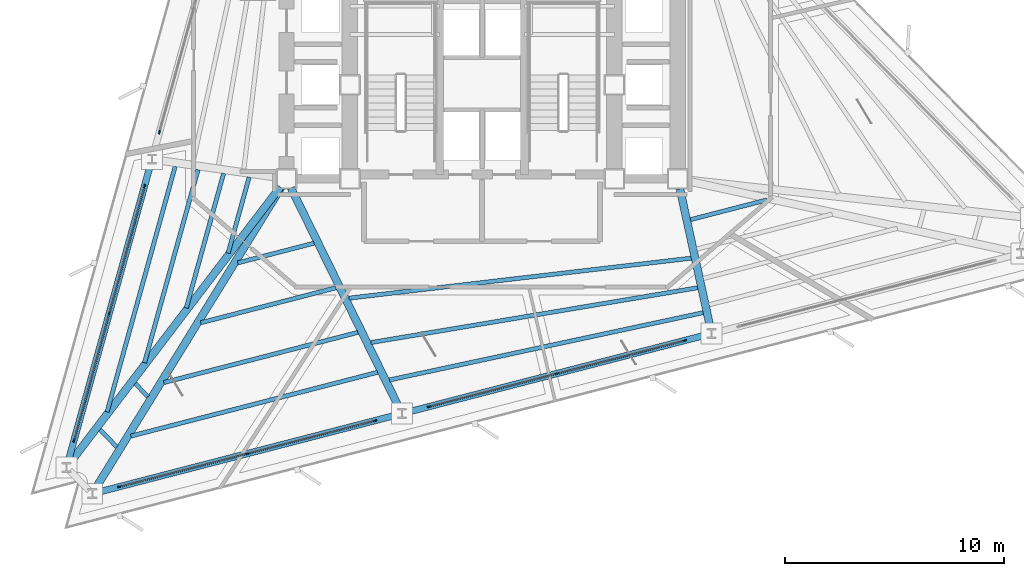
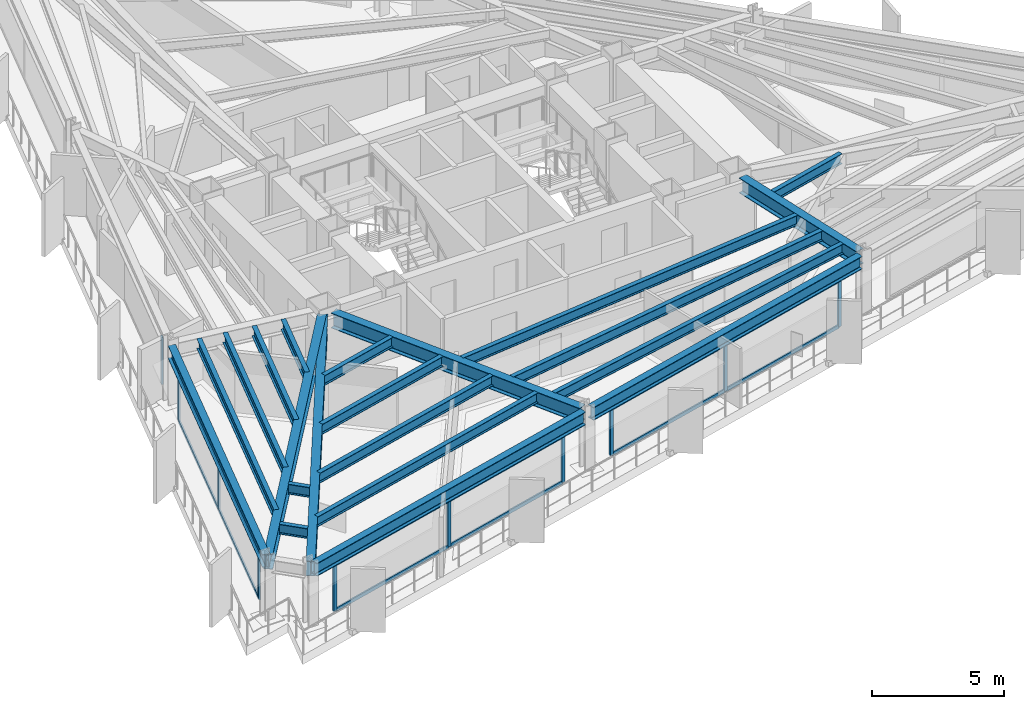
# One storey, part 2 of 11: 22 members, 21 beams, 4 elements without a shape of their own.
"""IFC4 building model written with IfcOpenShell, lengths in metres."""

from ifc_helpers import new_model, si_unit, direction, frame, origin, origin_2d, place, context, subcontext, project, spatial, rectangle, i_section, extrude, material, layer, layer_set, material_profile, profile_set, type_object, element, aggregate, save


model = new_model("IFC4")

# Units and contexts
model_context = context("Model", 3, precision=1e-05, world=origin(), true_north=direction((0.0, 1.0)))
body_context = subcontext(model_context, "Body", "Model", "MODEL_VIEW")
ifc_project = project(units=[si_unit("LENGTHUNIT", "METRE"), si_unit("AREAUNIT", "SQUARE_METRE"), si_unit("VOLUMEUNIT", "CUBIC_METRE"), si_unit("PLANEANGLEUNIT", "RADIAN"), si_unit("MASSUNIT", "GRAM", prefix="KILO")], contexts=[model_context])

# Site, building, storey
site_placement = place(None, origin())
site = spatial("IfcSite", under=ifc_project, at=site_placement, CompositionType="ELEMENT")
building_placement = place(site_placement, origin())
building = spatial("IfcBuilding", under=site, at=building_placement, Name="Rocaltana Carrier Exchange", CompositionType="ELEMENT")
storey_placement = place(building_placement, frame((0.0, 0.0, 76.47998046875)))
storey = spatial("IfcBuildingStorey", under=building, at=storey_placement, Name="L23", CompositionType="ELEMENT", Elevation=76.47998046875)

# Curtain wall, member
ifc_material_1 = material(Name="Aluminium 6063-T6", Category="aluminium")
ifc_layer = layer(ifc_material_1, 0.1650390625)
ifc_layer_set = layer_set([ifc_layer], Name="Aluminium 6063-T6")
curtain_wall_type = type_object("IfcCurtainWallType", Name="Lower-Mid Stepped Curtain Wall CW-02", PredefinedType="NOTDEFINED", material=ifc_layer_set)
curtain_wall_1_placement = place(storey_placement, origin())
curtain_wall_1 = element("IfcCurtainWall", 1, at=curtain_wall_1_placement, inside=storey, type_object=curtain_wall_type, Name="L23 CW-02 Run CW-L23-F2S2", PredefinedType="NOTDEFINED")
ifc_material_2 = material(Name="Aluminium 6063-T6", Category="aluminium")
ifc_material_profile_1 = material_profile(ifc_material_2, rectangle(XDim=0.06494140625, YDim=0.1650390625, at=origin_2d()), Name="AL-65X165")
ifc_profile_set_1 = profile_set([ifc_material_profile_1], Name="Aluminium 6063-T6")
member_type_1 = type_object("IfcMemberType", Name="CW-02 Mullion AL-65X165", PredefinedType="MULLION", material=ifc_profile_set_1)
member_1_placement = place(storey_placement, frame((-14.761962890625, -2.16796875, 0.0), z_axis=(0.0, 0.0, 1.0), x_axis=(0.963630586954, -0.267237893807, 0.0)))
member_1 = element("IfcMember", 2, at=member_1_placement, type_object=member_type_1, Name="CW-02 mullion 3", PredefinedType="MULLION", context=body_context, shape_type="SweptSolid", body=[
    extrude(rectangle(XDim=0.06494140625, YDim=0.1650390625, at=origin_2d()), origin(), (0.0, 0.0, 1.0), 2.16796875),
])
aggregate(curtain_wall_1, [member_1])

# Curtain wall, members
curtain_wall_2_placement = place(storey_placement, origin())
curtain_wall_2 = element("IfcCurtainWall", 3, at=curtain_wall_2_placement, inside=storey, type_object=curtain_wall_type, Name="L23 CW-02 Run CW-L23-F2S3", PredefinedType="NOTDEFINED")
member_2_placement = place(storey_placement, frame((-15.447265625, -4.6396484375, 0.0), z_axis=(0.0, 0.0, 1.0), x_axis=(0.963629053146, -0.267243424491, 0.0)))
member_2 = element("IfcMember", 4, at=member_2_placement, type_object=member_type_1, Name="CW-02 mullion 1", PredefinedType="MULLION", context=body_context, shape_type="SweptSolid", body=[
    extrude(rectangle(XDim=0.06494140625, YDim=0.1650390625, at=origin_2d()), origin(), (0.0, 0.0, 1.0), 2.16796875),
])
member_3_placement = place(storey_placement, frame((-17.059814453125, -10.45458984375, 0.0), z_axis=(0.0, 0.0, 1.0), x_axis=(0.963629053146, -0.267243424491, 0.0)))
member_3 = element("IfcMember", 5, at=member_3_placement, type_object=member_type_1, Name="CW-02 mullion 2", PredefinedType="MULLION", context=body_context, shape_type="SweptSolid", body=[
    extrude(rectangle(XDim=0.06494140625, YDim=0.1650390625, at=origin_2d()), origin(), (0.0, 0.0, 1.0), 2.16796875),
])
member_4_placement = place(storey_placement, frame((-18.672607421875, -16.269287109375, 0.0), z_axis=(0.0, 0.0, 1.0), x_axis=(0.963629053146, -0.267243424491, 0.0)))
member_4 = element("IfcMember", 6, at=member_4_placement, type_object=member_type_1, Name="CW-02 mullion 3", PredefinedType="MULLION", context=body_context, shape_type="SweptSolid", body=[
    extrude(rectangle(XDim=0.06494140625, YDim=0.1650390625, at=origin_2d()), origin(), (0.0, 0.0, 1.0), 2.16796875),
])

curtain_wall_3_placement = place(storey_placement, origin())
curtain_wall_3 = element("IfcCurtainWall", 7, at=curtain_wall_3_placement, inside=storey, type_object=curtain_wall_type, Name="L23 CW-02 Run CW-L23-F3S1", PredefinedType="NOTDEFINED")
member_5_placement = place(storey_placement, frame((-16.592529296875, -18.3857421875, 0.0), z_axis=(0.0, 0.0, 1.0), x_axis=(-0.250377760692, 0.968148220548, 0.0)))
member_5 = element("IfcMember", 8, at=member_5_placement, type_object=member_type_1, Name="CW-02 mullion 1", PredefinedType="MULLION", context=body_context, shape_type="SweptSolid", body=[
    extrude(rectangle(XDim=0.06494140625, YDim=0.1650390625, at=origin_2d()), origin(), (0.0, 0.0, 1.0), 2.16796875),
])
member_6_placement = place(storey_placement, frame((-10.75048828125, -16.874755859375, 0.0), z_axis=(0.0, 0.0, 1.0), x_axis=(-0.250377760692, 0.968148220548, 0.0)))
member_6 = element("IfcMember", 9, at=member_6_placement, type_object=member_type_1, Name="CW-02 mullion 2", PredefinedType="MULLION", context=body_context, shape_type="SweptSolid", body=[
    extrude(rectangle(XDim=0.06494140625, YDim=0.1650390625, at=origin_2d()), origin(), (0.0, 0.0, 1.0), 2.16796875),
])
member_7_placement = place(storey_placement, frame((-4.90869140625, -15.364013671875, 0.0), z_axis=(0.0, 0.0, 1.0), x_axis=(-0.250377760692, 0.968148220548, 0.0)))
member_7 = element("IfcMember", 10, at=member_7_placement, type_object=member_type_1, Name="CW-02 mullion 3", PredefinedType="MULLION", context=body_context, shape_type="SweptSolid", body=[
    extrude(rectangle(XDim=0.06494140625, YDim=0.1650390625, at=origin_2d()), origin(), (0.0, 0.0, 1.0), 2.16796875),
])

curtain_wall_4_placement = place(storey_placement, origin())
curtain_wall_4 = element("IfcCurtainWall", 11, at=curtain_wall_4_placement, inside=storey, type_object=curtain_wall_type, Name="L23 CW-02 Run CW-L23-F3S2", PredefinedType="NOTDEFINED")
member_8_placement = place(storey_placement, frame((-2.42529296875, -14.7216796875, 0.0), z_axis=(0.0, 0.0, 1.0), x_axis=(-0.250377760692, 0.968148220548, 0.0)))
member_8 = element("IfcMember", 12, at=member_8_placement, type_object=member_type_1, Name="CW-02 mullion 1", PredefinedType="MULLION", context=body_context, shape_type="SweptSolid", body=[
    extrude(rectangle(XDim=0.06494140625, YDim=0.1650390625, at=origin_2d()), origin(), (0.0, 0.0, 1.0), 2.16796875),
])
member_9_placement = place(storey_placement, frame((3.41650390625, -13.2109375, 0.0), z_axis=(0.0, 0.0, 1.0), x_axis=(-0.250377760692, 0.968148220548, 0.0)))
member_9 = element("IfcMember", 13, at=member_9_placement, type_object=member_type_1, Name="CW-02 mullion 2", PredefinedType="MULLION", context=body_context, shape_type="SweptSolid", body=[
    extrude(rectangle(XDim=0.06494140625, YDim=0.1650390625, at=origin_2d()), origin(), (0.0, 0.0, 1.0), 2.16796875),
])
member_10_placement = place(storey_placement, frame((9.258544921875, -11.7001953125, 0.0), z_axis=(0.0, 0.0, 1.0), x_axis=(-0.250377760692, 0.968148220548, 0.0)))
member_10 = element("IfcMember", 14, at=member_10_placement, type_object=member_type_1, Name="CW-02 mullion 3", PredefinedType="MULLION", context=body_context, shape_type="SweptSolid", body=[
    extrude(rectangle(XDim=0.06494140625, YDim=0.1650390625, at=origin_2d()), origin(), (0.0, 0.0, 1.0), 2.16796875),
])

# Member
ifc_material_3 = material(Name="Aluminium 6063-T6", Category="aluminium")
ifc_material_profile_2 = material_profile(ifc_material_3, rectangle(XDim=0.06494140625, YDim=0.1650390625, at=origin_2d()), Name="AL-65X165")
ifc_profile_set_2 = profile_set([ifc_material_profile_2], Name="Aluminium 6063-T6")
member_type_2 = type_object("IfcMemberType", Name="CW-02 Transom AL-65X165", PredefinedType="USERDEFINED", material=ifc_profile_set_2)
member_11_placement = place(storey_placement, frame((-15.4560546875, -4.671142578125, 0.032470703125), z_axis=(-0.26724725359, -0.963627991213, 0.0), x_axis=(0.963627991213, -0.26724725359, 0.0)))
member_11 = element("IfcMember", 15, at=member_11_placement, type_object=member_type_2, Name="CW-02 transom 1.1", ObjectType="TRANSOM", PredefinedType="USERDEFINED", context=body_context, shape_type="SweptSolid", body=[
    extrude(rectangle(XDim=0.06494140625, YDim=0.1650390625, at=origin_2d()), origin(), (0.0, 0.0, 1.0), 5.968994140625),
])

member_12_placement = place(storey_placement, frame((-15.4560546875, -4.671142578125, 2.135498046875), z_axis=(-0.26724725359, -0.963627991213, 0.0), x_axis=(0.963627991213, -0.26724725359, 0.0)))
member_12 = element("IfcMember", 16, at=member_12_placement, type_object=member_type_2, Name="CW-02 transom 1.2", ObjectType="TRANSOM", PredefinedType="USERDEFINED", context=body_context, shape_type="SweptSolid", body=[
    extrude(rectangle(XDim=0.06494140625, YDim=0.1650390625, at=origin_2d()), origin(), (0.0, 0.0, 1.0), 5.968994140625),
])

member_13_placement = place(storey_placement, frame((-17.068603515625, -10.48583984375, 0.032470703125), z_axis=(-0.267236720875, -0.963630912235, 0.0), x_axis=(0.963630912235, -0.267236720875, 0.0)))
member_13 = element("IfcMember", 17, at=member_13_placement, type_object=member_type_2, Name="CW-02 transom 2.1", ObjectType="TRANSOM", PredefinedType="USERDEFINED", context=body_context, shape_type="SweptSolid", body=[
    extrude(rectangle(XDim=0.06494140625, YDim=0.1650390625, at=origin_2d()), origin(), (0.0, 0.0, 1.0), 5.96923828125),
])

member_14_placement = place(storey_placement, frame((-17.068603515625, -10.48583984375, 2.135498046875), z_axis=(-0.267236720875, -0.963630912235, 0.0), x_axis=(0.963630912235, -0.267236720875, 0.0)))
member_14 = element("IfcMember", 18, at=member_14_placement, type_object=member_type_2, Name="CW-02 transom 2.2", ObjectType="TRANSOM", PredefinedType="USERDEFINED", context=body_context, shape_type="SweptSolid", body=[
    extrude(rectangle(XDim=0.06494140625, YDim=0.1650390625, at=origin_2d()), origin(), (0.0, 0.0, 1.0), 5.96923828125),
])

aggregate(curtain_wall_2, [member_2, member_3, member_4, member_11, member_12, member_13, member_14])

member_15_placement = place(storey_placement, frame((-16.56103515625, -18.37744140625, 0.032470703125), z_axis=(0.968154945337, 0.250351756175, 0.0), x_axis=(-0.250351756175, 0.968154945337, 0.0)))
member_15 = element("IfcMember", 19, at=member_15_placement, type_object=member_type_2, Name="CW-02 transom 1.1", ObjectType="TRANSOM", PredefinedType="USERDEFINED", context=body_context, shape_type="SweptSolid", body=[
    extrude(rectangle(XDim=0.06494140625, YDim=0.1650390625, at=origin_2d()), origin(), (0.0, 0.0, 1.0), 5.96923828125),
])

member_16_placement = place(storey_placement, frame((-16.56103515625, -18.37744140625, 2.135498046875), z_axis=(0.968154945337, 0.250351756175, 0.0), x_axis=(-0.250351756175, 0.968154945337, 0.0)))
member_16 = element("IfcMember", 20, at=member_16_placement, type_object=member_type_2, Name="CW-02 transom 1.2", ObjectType="TRANSOM", PredefinedType="USERDEFINED", context=body_context, shape_type="SweptSolid", body=[
    extrude(rectangle(XDim=0.06494140625, YDim=0.1650390625, at=origin_2d()), origin(), (0.0, 0.0, 1.0), 5.96923828125),
])

member_17_placement = place(storey_placement, frame((-10.71923828125, -16.86669921875, 0.032470703125), z_axis=(0.968145031253, 0.250390092575, 0.0), x_axis=(-0.250390092575, 0.968145031253, 0.0)))
member_17 = element("IfcMember", 21, at=member_17_placement, type_object=member_type_2, Name="CW-02 transom 2.1", ObjectType="TRANSOM", PredefinedType="USERDEFINED", context=body_context, shape_type="SweptSolid", body=[
    extrude(rectangle(XDim=0.06494140625, YDim=0.1650390625, at=origin_2d()), origin(), (0.0, 0.0, 1.0), 5.96923828125),
])

member_18_placement = place(storey_placement, frame((-10.71923828125, -16.86669921875, 2.135498046875), z_axis=(0.968145031253, 0.250390092575, 0.0), x_axis=(-0.250390092575, 0.968145031253, 0.0)))
member_18 = element("IfcMember", 22, at=member_18_placement, type_object=member_type_2, Name="CW-02 transom 2.2", ObjectType="TRANSOM", PredefinedType="USERDEFINED", context=body_context, shape_type="SweptSolid", body=[
    extrude(rectangle(XDim=0.06494140625, YDim=0.1650390625, at=origin_2d()), origin(), (0.0, 0.0, 1.0), 5.96923828125),
])

aggregate(curtain_wall_3, [member_5, member_6, member_7, member_15, member_16, member_17, member_18])

member_19_placement = place(storey_placement, frame((-2.393798828125, -14.713623046875, 0.032470703125), z_axis=(0.968145031253, 0.250390092575, 0.0), x_axis=(-0.250390092575, 0.968145031253, 0.0)))
member_19 = element("IfcMember", 23, at=member_19_placement, type_object=member_type_2, Name="CW-02 transom 1.1", ObjectType="TRANSOM", PredefinedType="USERDEFINED", context=body_context, shape_type="SweptSolid", body=[
    extrude(rectangle(XDim=0.06494140625, YDim=0.1650390625, at=origin_2d()), origin(), (0.0, 0.0, 1.0), 5.96923828125),
])

member_20_placement = place(storey_placement, frame((-2.393798828125, -14.713623046875, 2.135498046875), z_axis=(0.968145031253, 0.250390092575, 0.0), x_axis=(-0.250390092575, 0.968145031253, 0.0)))
member_20 = element("IfcMember", 24, at=member_20_placement, type_object=member_type_2, Name="CW-02 transom 1.2", ObjectType="TRANSOM", PredefinedType="USERDEFINED", context=body_context, shape_type="SweptSolid", body=[
    extrude(rectangle(XDim=0.06494140625, YDim=0.1650390625, at=origin_2d()), origin(), (0.0, 0.0, 1.0), 5.96923828125),
])

member_21_placement = place(storey_placement, frame((3.447998046875, -13.202880859375, 0.032470703125), z_axis=(0.968145031253, 0.250390092575, 0.0), x_axis=(-0.250390092575, 0.968145031253, 0.0)))
member_21 = element("IfcMember", 25, at=member_21_placement, type_object=member_type_2, Name="CW-02 transom 2.1", ObjectType="TRANSOM", PredefinedType="USERDEFINED", context=body_context, shape_type="SweptSolid", body=[
    extrude(rectangle(XDim=0.06494140625, YDim=0.1650390625, at=origin_2d()), origin(), (0.0, 0.0, 1.0), 5.96923828125),
])

member_22_placement = place(storey_placement, frame((3.447998046875, -13.202880859375, 2.135498046875), z_axis=(0.968145031253, 0.250390092575, 0.0), x_axis=(-0.250390092575, 0.968145031253, 0.0)))
member_22 = element("IfcMember", 26, at=member_22_placement, type_object=member_type_2, Name="CW-02 transom 2.2", ObjectType="TRANSOM", PredefinedType="USERDEFINED", context=body_context, shape_type="SweptSolid", body=[
    extrude(rectangle(XDim=0.06494140625, YDim=0.1650390625, at=origin_2d()), origin(), (0.0, 0.0, 1.0), 5.96923828125),
])

aggregate(curtain_wall_4, [member_8, member_9, member_10, member_19, member_20, member_21, member_22])

# Beams
ifc_material_4 = material(Name="Steel S355", Category="steel")
ifc_material_profile_3 = material_profile(ifc_material_4, i_section(OverallWidth=0.193115234375, OverallDepth=0.466064453125, WebThickness=0.011474609375, FlangeThickness=0.01904296875, FilletRadius=0.013916015625, at=origin_2d()), Name="W18X65")
ifc_profile_set_3 = profile_set([ifc_material_profile_3], Name="Steel S355")
beam_type_1 = type_object("IfcBeamType", Name="Floor Joist W18X65", PredefinedType="JOIST", material=ifc_profile_set_3)
beam_1_placement = place(storey_placement, frame((-10.65771484375, -4.223388671875, 2.554931640625), z_axis=(-0.267214572506, -0.963637054207, 0.0), x_axis=(0.963637054207, -0.267214572506, 0.0)))
element("IfcBeam", 27, at=beam_1_placement, inside=storey, type_object=beam_type_1, Name="FJ-L23-07-1", PredefinedType="JOIST", context=body_context, shape_type="SweptSolid", body=[
    extrude(i_section(OverallWidth=0.193115234375, OverallDepth=0.466064453125, WebThickness=0.011474609375, FlangeThickness=0.01904296875, FilletRadius=0.013916015625, at=origin_2d()), origin(), (0.0, 0.0, 1.0), 3.60791015625),
])
beam_2_placement = place(storey_placement, frame((-11.826904296875, -4.052978515625, 2.554931640625), z_axis=(-0.267247660275, -0.963627878425, 0.0), x_axis=(0.963627878425, -0.267247660275, 0.0)))
element("IfcBeam", 28, at=beam_2_placement, inside=storey, type_object=beam_type_1, Name="FJ-L23-07-2", PredefinedType="JOIST", context=body_context, shape_type="SweptSolid", body=[
    extrude(i_section(OverallWidth=0.193115234375, OverallDepth=0.466064453125, WebThickness=0.011474609375, FlangeThickness=0.01904296875, FilletRadius=0.013916015625, at=origin_2d()), origin(), (0.0, 0.0, 1.0), 6.388427734375),
])
beam_3_placement = place(storey_placement, frame((-12.996337890625, -3.8828125, 2.554931640625), z_axis=(-0.267235954776, -0.963631124692, 0.0), x_axis=(0.963631124692, -0.267235954776, 0.0)))
element("IfcBeam", 29, at=beam_3_placement, inside=storey, type_object=beam_type_1, Name="FJ-L23-07-3", PredefinedType="JOIST", context=body_context, shape_type="SweptSolid", body=[
    extrude(i_section(OverallWidth=0.193115234375, OverallDepth=0.466064453125, WebThickness=0.011474609375, FlangeThickness=0.01904296875, FilletRadius=0.013916015625, at=origin_2d()), origin(), (0.0, 0.0, 1.0), 9.168701171875),
])
beam_4_placement = place(storey_placement, frame((-14.04248046875, -3.73046875, 2.554931640625), z_axis=(-0.267254953873, -0.963625855626, 0.0), x_axis=(0.963625855626, -0.267254953873, 0.0)))
element("IfcBeam", 30, at=beam_4_placement, inside=storey, type_object=beam_type_1, Name="FJ-L23-07-4", PredefinedType="JOIST", context=body_context, shape_type="SweptSolid", body=[
    extrude(i_section(OverallWidth=0.193115234375, OverallDepth=0.466064453125, WebThickness=0.011474609375, FlangeThickness=0.01904296875, FilletRadius=0.013916015625, at=origin_2d()), origin(), (0.0, 0.0, 1.0), 11.656494140625),
])
beam_5_placement = place(storey_placement, frame((-15.87548828125, -13.666015625, 2.554931640625), z_axis=(0.700949450069, -0.713210956484, 0.0), x_axis=(0.713210956484, 0.700949450069, 0.0)))
element("IfcBeam", 31, at=beam_5_placement, inside=storey, type_object=beam_type_1, Name="FJ-L23-08-3", PredefinedType="JOIST", context=body_context, shape_type="SweptSolid", body=[
    extrude(i_section(OverallWidth=0.193115234375, OverallDepth=0.466064453125, WebThickness=0.011474609375, FlangeThickness=0.01904296875, FilletRadius=0.013916015625, at=origin_2d()), origin(), (0.0, 0.0, 1.0), 0.836181640625),
])
beam_6_placement = place(storey_placement, frame((-17.48583984375, -15.77880859375, 2.554931640625), z_axis=(0.70100898123, -0.713152443896, 0.0), x_axis=(0.713152443896, 0.70100898123, 0.0)))
element("IfcBeam", 32, at=beam_6_placement, inside=storey, type_object=beam_type_1, Name="FJ-L23-08-4", PredefinedType="JOIST", context=body_context, shape_type="SweptSolid", body=[
    extrude(i_section(OverallWidth=0.193115234375, OverallDepth=0.466064453125, WebThickness=0.011474609375, FlangeThickness=0.01904296875, FilletRadius=0.013916015625, at=origin_2d()), origin(), (0.0, 0.0, 1.0), 1.105712890625),
])
beam_7_placement = place(storey_placement, frame((-11.1826171875, -8.14697265625, 2.554931640625), z_axis=(0.968131920636, 0.250440779917, 0.0), x_axis=(-0.250440779917, 0.968131920636, 0.0)))
element("IfcBeam", 33, at=beam_7_placement, inside=storey, type_object=beam_type_1, Name="FJ-L23-09-1", PredefinedType="JOIST", context=body_context, shape_type="SweptSolid", body=[
    extrude(i_section(OverallWidth=0.193115234375, OverallDepth=0.466064453125, WebThickness=0.011474609375, FlangeThickness=0.01904296875, FilletRadius=0.013916015625, at=origin_2d()), origin(), (0.0, 0.0, 1.0), 3.60791015625),
])
beam_8_placement = place(storey_placement, frame((-12.87060546875, -10.88427734375, 2.554931640625), z_axis=(0.968143557315, 0.250395791558, 0.0), x_axis=(-0.250395791558, 0.968143557315, 0.0)))
element("IfcBeam", 34, at=beam_8_placement, inside=storey, type_object=beam_type_1, Name="FJ-L23-09-2", PredefinedType="JOIST", context=body_context, shape_type="SweptSolid", body=[
    extrude(i_section(OverallWidth=0.193115234375, OverallDepth=0.466064453125, WebThickness=0.011474609375, FlangeThickness=0.01904296875, FilletRadius=0.013916015625, at=origin_2d()), origin(), (0.0, 0.0, 1.0), 6.388427734375),
])
beam_9_placement = place(storey_placement, frame((-14.55859375, -13.62158203125, 2.554931640625), z_axis=(0.968140011266, 0.250409501786, 0.0), x_axis=(-0.250409501786, 0.968140011266, 0.0)))
element("IfcBeam", 35, at=beam_9_placement, inside=storey, type_object=beam_type_1, Name="FJ-L23-09-3", PredefinedType="JOIST", context=body_context, shape_type="SweptSolid", body=[
    extrude(i_section(OverallWidth=0.193115234375, OverallDepth=0.466064453125, WebThickness=0.011474609375, FlangeThickness=0.01904296875, FilletRadius=0.013916015625, at=origin_2d()), origin(), (0.0, 0.0, 1.0), 9.16845703125),
])
beam_10_placement = place(storey_placement, frame((-16.069091796875, -16.070556640625, 2.554931640625), z_axis=(0.968149362607, 0.250373344596, 0.0), x_axis=(-0.250373344596, 0.968149362607, 0.0)))
element("IfcBeam", 36, at=beam_10_placement, inside=storey, type_object=beam_type_1, Name="FJ-L23-09-4", PredefinedType="JOIST", context=body_context, shape_type="SweptSolid", body=[
    extrude(i_section(OverallWidth=0.193115234375, OverallDepth=0.466064453125, WebThickness=0.011474609375, FlangeThickness=0.01904296875, FilletRadius=0.013916015625, at=origin_2d()), origin(), (0.0, 0.0, 1.0), 11.656494140625),
])
beam_11_placement = place(storey_placement, frame((-6.085205078125, -9.759033203125, 2.554931640625), z_axis=(0.993245745527, 0.116029690132, 0.0), x_axis=(-0.116029690132, 0.993245745527, 0.0)))
element("IfcBeam", 37, at=beam_11_placement, inside=storey, type_object=beam_type_1, Name="FJ-L23-10-2", PredefinedType="JOIST", context=body_context, shape_type="SweptSolid", body=[
    extrude(i_section(OverallWidth=0.193115234375, OverallDepth=0.466064453125, WebThickness=0.011474609375, FlangeThickness=0.01904296875, FilletRadius=0.013916015625, at=origin_2d()), origin(), (0.0, 0.0, 1.0), 15.761962890625),
])
beam_12_placement = place(storey_placement, frame((-5.082763671875, -11.791748046875, 2.554931640625), z_axis=(0.986215738721, 0.165464548161, 0.0), x_axis=(-0.165464548161, 0.986215738721, 0.0)))
element("IfcBeam", 38, at=beam_12_placement, inside=storey, type_object=beam_type_1, Name="FJ-L23-10-3", PredefinedType="JOIST", context=body_context, shape_type="SweptSolid", body=[
    extrude(i_section(OverallWidth=0.193115234375, OverallDepth=0.466064453125, WebThickness=0.011474609375, FlangeThickness=0.01904296875, FilletRadius=0.013916015625, at=origin_2d()), origin(), (0.0, 0.0, 1.0), 15.15771484375),
])
beam_13_placement = place(storey_placement, frame((-4.239013671875, -13.5029296875, 2.554931640625), z_axis=(0.977758587701, 0.209733507519, 0.0), x_axis=(-0.209733507519, 0.977758587701, 0.0)))
element("IfcBeam", 39, at=beam_13_placement, inside=storey, type_object=beam_type_1, Name="FJ-L23-10-4", PredefinedType="JOIST", context=body_context, shape_type="SweptSolid", body=[
    extrude(i_section(OverallWidth=0.193115234375, OverallDepth=0.466064453125, WebThickness=0.011474609375, FlangeThickness=0.01904296875, FilletRadius=0.013916015625, at=origin_2d()), origin(), (0.0, 0.0, 1.0), 14.680908203125),
])
beam_14_placement = place(storey_placement, frame((9.53466796875, -6.16845703125, 2.554931640625), z_axis=(0.968131920636, 0.250440779917, 0.0), x_axis=(-0.250440779917, 0.968131920636, 0.0)))
element("IfcBeam", 40, at=beam_14_placement, inside=storey, type_object=beam_type_1, Name="FJ-L23-11-1", PredefinedType="JOIST", context=body_context, shape_type="SweptSolid", body=[
    extrude(i_section(OverallWidth=0.193115234375, OverallDepth=0.466064453125, WebThickness=0.011474609375, FlangeThickness=0.01904296875, FilletRadius=0.013916015625, at=origin_2d()), origin(), (0.0, 0.0, 1.0), 3.60791015625),
])
ifc_material_5 = material(Name="Steel S355", Category="steel")
ifc_material_profile_4 = material_profile(ifc_material_5, i_section(OverallWidth=0.35498046875, OverallDepth=0.695068359375, WebThickness=0.015380859375, FlangeThickness=0.02490234375, FilletRadius=0.01806640625, at=origin_2d()), Name="W27X146")
ifc_profile_set_4 = profile_set([ifc_material_profile_4], Name="Steel S355")
beam_type_2 = type_object("IfcBeamType", Name="Radial Girder W27X146", PredefinedType="BEAM", material=ifc_profile_set_4)
beam_15_placement = place(storey_placement, frame((-9.233154296875, -4.67138671875, 2.4404296875), z_axis=(-0.606198298247, -0.795313537671, 0.0), x_axis=(0.795313537671, -0.606198298247, 0.0)))
element("IfcBeam", 41, at=beam_15_placement, inside=storey, type_object=beam_type_2, Name="RG-L23-08", PredefinedType="BEAM", context=body_context, shape_type="SweptSolid", body=[
    extrude(i_section(OverallWidth=0.35498046875, OverallDepth=0.695068359375, WebThickness=0.015380859375, FlangeThickness=0.02490234375, FilletRadius=0.01806640625, at=origin_2d()), origin(), (0.0, 0.0, 1.0), 15.935546875),
])
beam_16_placement = place(storey_placement, frame((-9.195068359375, -4.697509765625, 2.4404296875), z_axis=(-0.524896499974, -0.851166061539, 0.0), x_axis=(0.851166061539, -0.524896499974, 0.0)))
element("IfcBeam", 42, at=beam_16_placement, inside=storey, type_object=beam_type_2, Name="RG-L23-09", PredefinedType="BEAM", context=body_context, shape_type="SweptSolid", body=[
    extrude(i_section(OverallWidth=0.35498046875, OverallDepth=0.695068359375, WebThickness=0.015380859375, FlangeThickness=0.02490234375, FilletRadius=0.01806640625, at=origin_2d()), origin(), (0.0, 0.0, 1.0), 16.2578125),
])
beam_17_placement = place(storey_placement, frame((-8.743896484375, -4.718994140625, 2.4404296875), z_axis=(0.441294565668, -0.897362304932, 0.0), x_axis=(0.897362304932, 0.441294565668, 0.0)))
element("IfcBeam", 43, at=beam_17_placement, inside=storey, type_object=beam_type_2, Name="RG-L23-10", PredefinedType="BEAM", context=body_context, shape_type="SweptSolid", body=[
    extrude(i_section(OverallWidth=0.35498046875, OverallDepth=0.695068359375, WebThickness=0.015380859375, FlangeThickness=0.02490234375, FilletRadius=0.01806640625, at=origin_2d()), origin(), (0.0, 0.0, 1.0), 11.3037109375),
])
beam_18_placement = place(storey_placement, frame((9.0498046875, -4.756103515625, 2.4404296875), z_axis=(0.213939245944, -0.976846968079, 0.0), x_axis=(0.976846968079, 0.213939245944, 0.0)))
element("IfcBeam", 44, at=beam_18_placement, inside=storey, type_object=beam_type_2, Name="RG-L23-11", PredefinedType="BEAM", context=body_context, shape_type="SweptSolid", body=[
    extrude(i_section(OverallWidth=0.35498046875, OverallDepth=0.695068359375, WebThickness=0.015380859375, FlangeThickness=0.02490234375, FilletRadius=0.01806640625, at=origin_2d()), origin(), (0.0, 0.0, 1.0), 6.578857421875),
])
ifc_material_6 = material(Name="Steel S355", Category="steel")
ifc_material_profile_5 = material_profile(ifc_material_6, i_section(OverallWidth=0.300048828125, OverallDepth=0.60009765625, WebThickness=0.015380859375, FlangeThickness=0.030029296875, FilletRadius=0.027099609375, at=origin_2d()), Name="HEB600")
ifc_profile_set_5 = profile_set([ifc_material_profile_5], Name="Steel S355")
beam_type_3 = type_object("IfcBeamType", Name="Spandrel Edge Beam HEB600", PredefinedType="SPANDREL", material=ifc_profile_set_5)
beam_19_placement = place(storey_placement, frame((-15.158203125, -3.59765625, 2.488037109375), z_axis=(-0.267244796471, -0.963628672653, 0.0), x_axis=(0.963628672653, -0.267244796471, 0.0)))
element("IfcBeam", 45, at=beam_19_placement, inside=storey, type_object=beam_type_3, Name="SP-L23-07", PredefinedType="SPANDREL", context=body_context, shape_type="SweptSolid", body=[
    extrude(i_section(OverallWidth=0.300048828125, OverallDepth=0.60009765625, WebThickness=0.015380859375, FlangeThickness=0.030029296875, FilletRadius=0.027099609375, at=origin_2d()), origin(), (0.0, 0.0, 1.0), 14.231201171875),
])
for number, where, z_axis, x_axis, name in (
    (46, (-17.6396484375, -18.656494140625, 2.488037109375), (0.968147987083, 0.250378663444, 0.0), (-0.250378663444, 0.968147987083, 0.0), "SP-L23-09"),
    (47, (-3.472412109375, -14.99267578125, 2.488037109375), (0.968143828509, 0.250394742995, 0.0), (-0.250394742995, 0.968143828509, 0.0), "SP-L23-10"),
):
    element("IfcBeam", number, at=place(storey_placement, frame(where, z_axis=z_axis, x_axis=x_axis)), inside=storey, type_object=beam_type_3, Name=name, PredefinedType="SPANDREL", context=body_context, shape_type="SweptSolid", body=[
        extrude(i_section(OverallWidth=0.300048828125, OverallDepth=0.60009765625, WebThickness=0.015380859375, FlangeThickness=0.030029296875, FilletRadius=0.027099609375, at=origin_2d()), origin(), (0.0, 0.0, 1.0), 14.2314453125),
    ])

save(model, "model.ifc")
